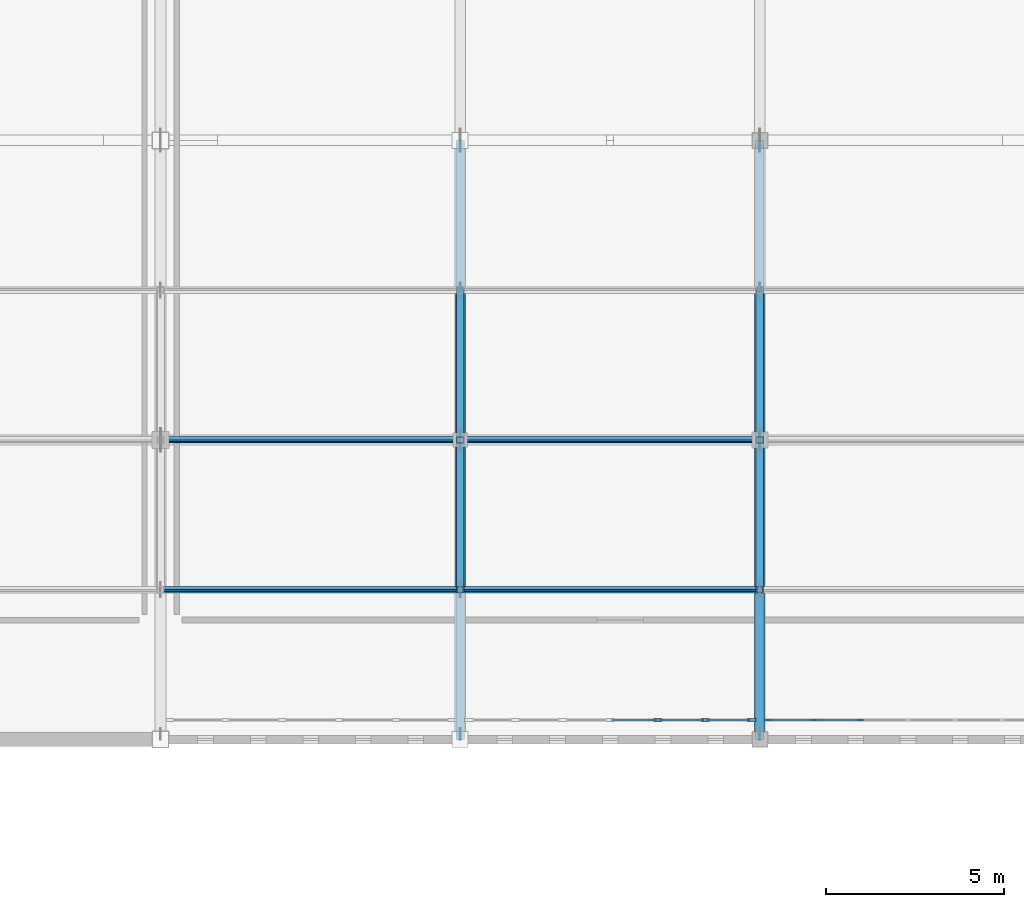
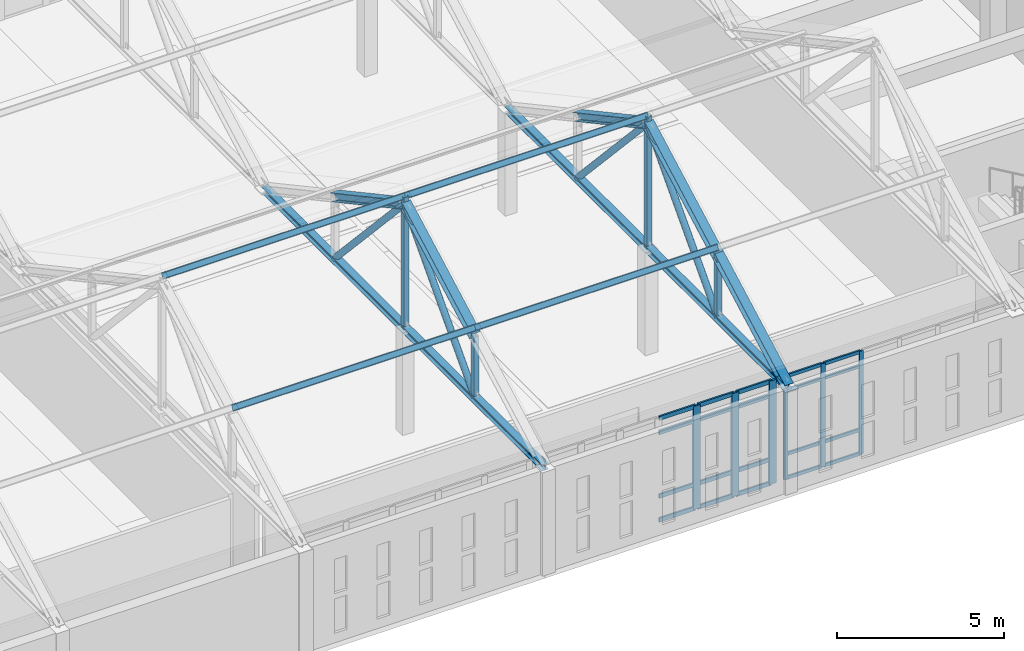
# One storey, part 32 of 110: 45 members, 2 elements without a shape of their own.
"""IFC4 building model written with IfcOpenShell, lengths in metres."""

import ifcopenshell
import ifcopenshell.guid

model = None  # the IFC model being written
_history = None  # IfcOwnerHistory: only IFC2X3 demands one
_inside = {}  # id of a spatial element -> (the spatial element, [elements in it])
_under = {}  # id of a project, library or spatial element -> (it, [spatial elements below it])
_declared = {}  # id of a project -> (the project, [libraries it declares])
_typed = {}  # id of a type object -> (the type object, [elements of that type])
_made_of = {}  # id of a material, layer set ... -> (it, [elements and type objects made of it])


def new_model(schema):
    """Start an empty IFC model of exactly this schema.

    Asked for "IFC4X3", IfcOpenShell would pick the latest addendum, in which some entities
    have other attributes; the version numbers below select the first issue.
    IFC2X3 requires an IfcOwnerHistory on every rooted entity: one is made here for all.
    """
    global model, _history
    if schema == "IFC4X3":
        model = ifcopenshell.file(schema_version=(4, 3, 0, 0))
    else:
        model = ifcopenshell.file(schema=schema)
    _inside.clear()
    _under.clear()
    _declared.clear()
    _typed.clear()
    _made_of.clear()
    _history = None
    if model.schema == "IFC2X3":
        org = make("IfcOrganization", Name="unknown")
        user = make(
            "IfcPersonAndOrganization",
            ThePerson=make("IfcPerson", FamilyName="unknown"),
            TheOrganization=org,
        )
        app = make(
            "IfcApplication",
            ApplicationDeveloper=org,
            Version="unknown",
            ApplicationFullName="unknown",
            ApplicationIdentifier="unknown",
        )
        _history = make(
            "IfcOwnerHistory",
            OwningUser=user,
            OwningApplication=app,
            ChangeAction="ADDED",
            CreationDate=0,
        )
    return model


def make(cls, **values):
    """One entity of the class cls with the attributes given. An attribute that is None is left unset."""
    return model.create_entity(
        cls, **{name: value for name, value in values.items() if value is not None}
    )


def rooted(cls, **values):
    """An entity with a GlobalId (a new one), such as an element, a storey or a relation."""
    return make(cls, GlobalId=ifcopenshell.guid.new(), OwnerHistory=_history, **values)


def si_unit(unit_type, name, prefix=None):
    """IfcSIUnit, for example si_unit("LENGTHUNIT", "METRE", prefix="MILLI")."""
    return make("IfcSIUnit", UnitType=unit_type, Prefix=prefix, Name=name)


def assignment(units):
    """IfcUnitAssignment: the units of a project."""
    return None if units is None else make("IfcUnitAssignment", Units=units)


def point(xyz):
    """IfcCartesianPoint."""
    return None if xyz is None else make("IfcCartesianPoint", Coordinates=xyz)


def direction(xyz):
    """IfcDirection."""
    return None if xyz is None else make("IfcDirection", DirectionRatios=xyz)


def frame(location, z_axis=None, x_axis=None):
    """IfcAxis2Placement3D, a coordinate frame: its origin and axes. An axis left out is left unset."""
    return make(
        "IfcAxis2Placement3D",
        Location=point(location),
        Axis=direction(z_axis),
        RefDirection=direction(x_axis),
    )


def frame_2d(location, x_axis=None):
    """IfcAxis2Placement2D, a coordinate frame in the plane: its origin and x axis."""
    return make(
        "IfcAxis2Placement2D", Location=point(location), RefDirection=direction(x_axis)
    )


def origin():
    """The frame at (0, 0, 0) with its axes left unset."""
    return frame((0.0, 0.0, 0.0))


def origin_2d():
    """The frame at (0, 0) in the plane with its x axis left unset."""
    return frame_2d((0.0, 0.0))


def place(relative_to, where):
    """IfcLocalPlacement: puts the frame where relative to a parent placement (None: the world)."""
    return make(
        "IfcLocalPlacement", PlacementRelTo=relative_to, RelativePlacement=where
    )


def context(
    kind, dimensions, precision=None, world=None, true_north=None, identifier=None
):
    """IfcGeometricRepresentationContext, for example the 3D "Model" context."""
    return make(
        "IfcGeometricRepresentationContext",
        ContextIdentifier=identifier,
        ContextType=kind,
        CoordinateSpaceDimension=dimensions,
        Precision=precision,
        WorldCoordinateSystem=world,
        TrueNorth=true_north,
    )


def subcontext(parent, identifier, kind, view, scale=None):
    """IfcGeometricRepresentationSubContext, for example "Body" below "Model"."""
    return make(
        "IfcGeometricRepresentationSubContext",
        ContextIdentifier=identifier,
        ContextType=kind,
        ParentContext=parent,
        TargetScale=scale,
        TargetView=view,
    )


def project(units=None, contexts=None):
    """IfcProject with its units and contexts."""
    return rooted(
        "IfcProject",
        Name="project",
        RepresentationContexts=contexts,
        UnitsInContext=assignment(units),
    )


def spatial(cls, under=None, at=None, **own):
    """A site, building, storey or space (cls), placed at a placement, below another one or the project."""
    s = rooted(cls, ObjectPlacement=at, **own)
    if under is not None:
        _under.setdefault(under.id(), (under, []))[1].append(s)
    return s


def profile(cls, at=None, kind="AREA", **sizes):
    """A parametric profile (cls). Its sizes go by their IFC names, for example OverallWidth=200.0."""
    return make(cls, ProfileType=kind, Position=at, **sizes)


def rectangle(**sizes):
    """IfcRectangleProfileDef."""
    return profile("IfcRectangleProfileDef", **sizes)


def hollow_rectangle(**sizes):
    """IfcRectangleHollowProfileDef."""
    return profile("IfcRectangleHollowProfileDef", **sizes)


def hollow_circle(**sizes):
    """IfcCircleHollowProfileDef."""
    return profile("IfcCircleHollowProfileDef", **sizes)


def i_section(**sizes):
    """IfcIShapeProfileDef."""
    return profile("IfcIShapeProfileDef", **sizes)


def extrude(swept, where, along, depth):
    """IfcExtrudedAreaSolid: the profile swept, set in the frame where, extruded along a direction by depth."""
    return make(
        "IfcExtrudedAreaSolid",
        SweptArea=swept,
        Position=where,
        ExtrudedDirection=direction(along),
        Depth=depth,
    )


def shape(context_of_items, identifier, shape_type, items):
    """IfcShapeRepresentation: the items that make up one representation, for example the "Body"."""
    return make(
        "IfcShapeRepresentation",
        ContextOfItems=context_of_items,
        RepresentationIdentifier=identifier,
        RepresentationType=shape_type,
        Items=items,
    )


def material(Name=None, Category=None):
    """IfcMaterial."""
    return make("IfcMaterial", Name=Name, Category=Category)


def layer(
    of_material, thickness, ventilated=None, Name=None, Category=None, Priority=None
):
    """IfcMaterialLayer: one layer of a wall or slab, of a material (None: an air gap)."""
    return make(
        "IfcMaterialLayer",
        Material=of_material,
        LayerThickness=thickness,
        IsVentilated=ventilated,
        Name=Name,
        Category=Category,
        Priority=Priority,
    )


def layer_set(layers, Name=None):
    """IfcMaterialLayerSet."""
    return make("IfcMaterialLayerSet", MaterialLayers=layers, LayerSetName=Name)


def material_profile(
    of_material, cross_section, Name=None, Category=None, Priority=None
):
    """IfcMaterialProfile: a cross section and its material."""
    return make(
        "IfcMaterialProfile",
        Name=Name,
        Material=of_material,
        Profile=cross_section,
        Priority=Priority,
        Category=Category,
    )


def profile_set(profiles, Name=None, composite=None):
    """IfcMaterialProfileSet."""
    return make(
        "IfcMaterialProfileSet",
        Name=Name,
        MaterialProfiles=profiles,
        CompositeProfile=composite,
    )


def made_of(thing, what):
    """Note that an element or type object is made of a material, layer set ...; save() writes the relation."""
    if what is not None:
        _made_of.setdefault(what.id(), (what, []))[1].append(thing)
    return thing


def type_object(cls, material=None, **own):
    """A type object (cls), such as IfcWallType, which elements share."""
    return made_of(rooted(cls, **own), material)


def element(
    cls,
    number,
    at=None,
    inside=None,
    cuts=None,
    type_object=None,
    material=None,
    context=None,
    identifier="Body",
    shape_type=None,
    held_by="IfcProductDefinitionShape",
    body=None,
    shapes=None,
    **own,
):
    """One element of the class cls, such as IfcWall. Its Tag is "e" and its number.

    at: its placement. inside: the storey or other place that contains it. cuts: it is an
    opening in that element (IfcRelVoidsElement). A single representation is given by context,
    identifier, shape_type and body (its items); several are given by shapes. held_by: the class
    of the entity that holds the representations. save() writes the other relations.
    """
    e = rooted(cls, Tag="e%d" % number, ObjectPlacement=at, **own)
    if body is not None:
        shapes = [shape(context, identifier, shape_type, body)]
    if shapes is not None:
        e.Representation = make(held_by, Representations=shapes)
    if inside is not None:
        _inside.setdefault(inside.id(), (inside, []))[1].append(e)
    if cuts is not None:
        rooted(
            "IfcRelVoidsElement", RelatingBuildingElement=cuts, RelatedOpeningElement=e
        )
    if type_object is not None:
        _typed.setdefault(type_object.id(), (type_object, []))[1].append(e)
    return made_of(e, material)


def aggregate(whole, parts):
    """IfcRelAggregates: a whole, such as a stair, and the parts it consists of."""
    return rooted("IfcRelAggregates", RelatingObject=whole, RelatedObjects=parts)


def save(model, path):
    """Write the relations noted so far, then the file.

    IfcRelAggregates (storeys below a building ...), IfcRelContainedInSpatialStructure (elements
    in a storey), IfcRelDefinesByType, IfcRelAssociatesMaterial and IfcRelDeclares: one each for
    every whole, place, type object, material and project.
    """
    for whole, parts in _under.values():
        aggregate(whole, parts)
    for where, things in _inside.values():
        rooted(
            "IfcRelContainedInSpatialStructure",
            RelatedElements=things,
            RelatingStructure=where,
        )
    for kind, things in _typed.values():
        rooted("IfcRelDefinesByType", RelatedObjects=things, RelatingType=kind)
    for what, things in _made_of.values():
        rooted("IfcRelAssociatesMaterial", RelatedObjects=things, RelatingMaterial=what)
    for by, libraries in _declared.values():
        rooted("IfcRelDeclares", RelatingContext=by, RelatedDefinitions=libraries)
    model.write(path)


model = new_model("IFC4")

# Units and contexts
model_context = context("Model", 3, precision=1e-05, world=origin(), true_north=direction((0.0, 1.0)))
body_context = subcontext(model_context, "Body", "Model", "MODEL_VIEW")
ifc_project = project(units=[si_unit("LENGTHUNIT", "METRE"), si_unit("AREAUNIT", "SQUARE_METRE"), si_unit("VOLUMEUNIT", "CUBIC_METRE"), si_unit("PLANEANGLEUNIT", "RADIAN"), si_unit("MASSUNIT", "GRAM", prefix="KILO")], contexts=[model_context])

# Site, building, storey
site_placement = place(None, origin())
site = spatial("IfcSite", under=ifc_project, at=site_placement, CompositionType="ELEMENT")
building_placement = place(site_placement, origin())
building = spatial("IfcBuilding", under=site, at=building_placement, Name="Kveldsbrygga Polytechnic", CompositionType="ELEMENT")
storey_placement = place(building_placement, frame((0.0, 0.0, 9.860107421875)))
storey = spatial("IfcBuildingStorey", under=building, at=storey_placement, Name="L02", CompositionType="ELEMENT", Elevation=9.860107421875)

# Curtain wall, members
ifc_material_1 = material(Name="Anodised aluminium AW-6060", Category="aluminium")
ifc_layer_1 = layer(ifc_material_1, 0.179931640625)
ifc_layer_set_1 = layer_set([ifc_layer_1], Name="Anodised aluminium AW-6060")
curtain_wall_type_1 = type_object("IfcCurtainWallType", Name="CW-CONC-A", PredefinedType="USERDEFINED", material=ifc_layer_set_1)
curtain_wall_1_placement = place(storey_placement, origin())
curtain_wall_1 = element("IfcCurtainWall", 1, at=curtain_wall_1_placement, inside=storey, type_object=curtain_wall_type_1, Name="Curtain Wall CW-L02-X-11-10", ObjectType="UNITISED CURTAIN WALL", PredefinedType="USERDEFINED")
ifc_material_profile_1 = material_profile(ifc_material_1, rectangle(XDim=0.06005859375, YDim=0.139892578125, at=origin_2d()), Name="ALU 60x140")
ifc_profile_set_1 = profile_set([ifc_material_profile_1], Name="Anodised aluminium AW-6060")
member_type_1 = type_object("IfcMemberType", Name="CW-MUL-140", PredefinedType="MULLION", material=ifc_profile_set_1)
member_1_placement = place(storey_placement, frame((92.625, 84.550048828125, 0.0), z_axis=(0.0, 0.0, 1.0), x_axis=(0.0, 1.0, 0.0)))
member_1 = element("IfcMember", 2, at=member_1_placement, type_object=member_type_1, Name="CW-01 mullion 1", PredefinedType="MULLION", context=body_context, shape_type="SweptSolid", body=[
    extrude(rectangle(XDim=0.06005859375, YDim=0.139892578125, at=origin_2d()), origin(), (0.0, 0.0, 1.0), 3.77978515625),
])
member_2_placement = place(storey_placement, frame((93.9150390625, 84.550048828125, 0.0), z_axis=(0.0, 0.0, 1.0), x_axis=(0.0, 1.0, 0.0)))
member_2 = element("IfcMember", 3, at=member_2_placement, type_object=member_type_1, Name="CW-01 mullion 2", PredefinedType="MULLION", context=body_context, shape_type="SweptSolid", body=[
    extrude(rectangle(XDim=0.06005859375, YDim=0.139892578125, at=origin_2d()), origin(), (0.0, 0.0, 1.0), 3.77978515625),
])
member_3_placement = place(storey_placement, frame((95.235107421875, 84.550048828125, 0.0), z_axis=(0.0, 0.0, 1.0), x_axis=(0.0, 1.0, 0.0)))
member_3 = element("IfcMember", 4, at=member_3_placement, type_object=member_type_1, Name="CW-01 mullion 3", PredefinedType="MULLION", context=body_context, shape_type="SweptSolid", body=[
    extrude(rectangle(XDim=0.06005859375, YDim=0.139892578125, at=origin_2d()), origin(), (0.0, 0.0, 1.0), 3.77978515625),
])

ifc_layer_2 = layer(ifc_material_1, 0.2099609375)
ifc_layer_set_2 = layer_set([ifc_layer_2], Name="Anodised aluminium AW-6060")
curtain_wall_type_2 = type_object("IfcCurtainWallType", Name="CW-LIBR-H", PredefinedType="USERDEFINED", material=ifc_layer_set_2)
curtain_wall_2_placement = place(storey_placement, origin())
curtain_wall_2 = element("IfcCurtainWall", 5, at=curtain_wall_2_placement, inside=storey, type_object=curtain_wall_type_2, Name="Curtain Wall CW-L02-X-10-10", ObjectType="UNITISED CURTAIN WALL", PredefinedType="USERDEFINED")
ifc_material_profile_2 = material_profile(ifc_material_1, rectangle(XDim=0.074951171875, YDim=0.239990234375, at=origin_2d()), Name="ALU 75x240")
ifc_profile_set_2 = profile_set([ifc_material_profile_2], Name="Anodised aluminium AW-6060")
member_type_2 = type_object("IfcMemberType", Name="CW-MUL-240", PredefinedType="MULLION", material=ifc_profile_set_2)
member_4_placement = place(storey_placement, frame((89.5400390625, 84.550048828125, 0.0), z_axis=(0.0, 0.0, 1.0), x_axis=(0.0, 1.0, 0.0)))
member_4 = element("IfcMember", 6, at=member_4_placement, type_object=member_type_2, Name="CW-08 mullion 5", PredefinedType="MULLION", context=body_context, shape_type="SweptSolid", body=[
    extrude(rectangle(XDim=0.074951171875, YDim=0.239990234375, at=origin_2d()), origin(), (0.0, 0.0, 1.0), 3.77978515625),
])
member_5_placement = place(storey_placement, frame((90.87255859375, 84.550048828125, 0.0), z_axis=(0.0, 0.0, 1.0), x_axis=(0.0, 1.0, 0.0)))
member_5 = element("IfcMember", 7, at=member_5_placement, type_object=member_type_2, Name="CW-08 mullion 6", PredefinedType="MULLION", context=body_context, shape_type="SweptSolid", body=[
    extrude(rectangle(XDim=0.074951171875, YDim=0.239990234375, at=origin_2d()), origin(), (0.0, 0.0, 1.0), 3.77978515625),
])
member_6_placement = place(storey_placement, frame((92.16748046875, 84.550048828125, 0.0), z_axis=(0.0, 0.0, 1.0), x_axis=(0.0, 1.0, 0.0)))
member_6 = element("IfcMember", 8, at=member_6_placement, type_object=member_type_2, Name="CW-08 mullion 7", PredefinedType="MULLION", context=body_context, shape_type="SweptSolid", body=[
    extrude(rectangle(XDim=0.074951171875, YDim=0.239990234375, at=origin_2d()), origin(), (0.0, 0.0, 1.0), 3.77978515625),
])

# Member
ifc_material_profile_3 = material_profile(ifc_material_1, rectangle(XDim=0.06005859375, YDim=0.1201171875, at=origin_2d()), Name="ALU 60x120")
ifc_profile_set_3 = profile_set([ifc_material_profile_3], Name="Anodised aluminium AW-6060")
member_type_3 = type_object("IfcMemberType", Name="CW-TRN-120", PredefinedType="USERDEFINED", material=ifc_profile_set_3)
member_7_placement = place(storey_placement, frame((92.655029296875, 84.550048828125, 0.02978515625), z_axis=(1.0, 0.0, 0.0), x_axis=(0.0, 1.0, 0.0)))
member_7 = element("IfcMember", 9, at=member_7_placement, type_object=member_type_3, Name="CW-01 transom 1.1", ObjectType="TRANSOM", PredefinedType="USERDEFINED", context=body_context, shape_type="SweptSolid", body=[
    extrude(rectangle(XDim=0.06005859375, YDim=0.1201171875, at=origin_2d()), origin(), (0.0, 0.0, 1.0), 1.22998046875),
])

member_8_placement = place(storey_placement, frame((92.655029296875, 84.550048828125, 0.89990234375), z_axis=(1.0, 0.0, 0.0), x_axis=(0.0, 1.0, 0.0)))
member_8 = element("IfcMember", 10, at=member_8_placement, type_object=member_type_3, Name="CW-01 transom 1.2", ObjectType="TRANSOM", PredefinedType="USERDEFINED", context=body_context, shape_type="SweptSolid", body=[
    extrude(rectangle(XDim=0.06005859375, YDim=0.1201171875, at=origin_2d()), origin(), (0.0, 0.0, 1.0), 1.22998046875),
])

member_9_placement = place(storey_placement, frame((92.655029296875, 84.550048828125, 3.22998046875), z_axis=(1.0, 0.0, 0.0), x_axis=(0.0, 1.0, 0.0)))
member_9 = element("IfcMember", 11, at=member_9_placement, type_object=member_type_3, Name="CW-01 transom 1.3", ObjectType="TRANSOM", PredefinedType="USERDEFINED", context=body_context, shape_type="SweptSolid", body=[
    extrude(rectangle(XDim=0.06005859375, YDim=0.1201171875, at=origin_2d()), origin(), (0.0, 0.0, 1.0), 1.22998046875),
])

member_10_placement = place(storey_placement, frame((92.655029296875, 84.550048828125, 3.75), z_axis=(1.0, 0.0, 0.0), x_axis=(0.0, 1.0, 0.0)))
member_10 = element("IfcMember", 12, at=member_10_placement, type_object=member_type_3, Name="CW-01 transom 1.4", ObjectType="TRANSOM", PredefinedType="USERDEFINED", context=body_context, shape_type="SweptSolid", body=[
    extrude(rectangle(XDim=0.06005859375, YDim=0.1201171875, at=origin_2d()), origin(), (0.0, 0.0, 1.0), 1.22998046875),
])

member_11_placement = place(storey_placement, frame((93.945068359375, 84.550048828125, 0.02978515625), z_axis=(1.0, 0.0, 0.0), x_axis=(0.0, 1.0, 0.0)))
member_11 = element("IfcMember", 13, at=member_11_placement, type_object=member_type_3, Name="CW-01 transom 2.1", ObjectType="TRANSOM", PredefinedType="USERDEFINED", context=body_context, shape_type="SweptSolid", body=[
    extrude(rectangle(XDim=0.06005859375, YDim=0.1201171875, at=origin_2d()), origin(), (0.0, 0.0, 1.0), 1.260009765625),
])

member_12_placement = place(storey_placement, frame((93.945068359375, 84.550048828125, 0.89990234375), z_axis=(1.0, 0.0, 0.0), x_axis=(0.0, 1.0, 0.0)))
member_12 = element("IfcMember", 14, at=member_12_placement, type_object=member_type_3, Name="CW-01 transom 2.2", ObjectType="TRANSOM", PredefinedType="USERDEFINED", context=body_context, shape_type="SweptSolid", body=[
    extrude(rectangle(XDim=0.06005859375, YDim=0.1201171875, at=origin_2d()), origin(), (0.0, 0.0, 1.0), 1.260009765625),
])

member_13_placement = place(storey_placement, frame((93.945068359375, 84.550048828125, 3.22998046875), z_axis=(1.0, 0.0, 0.0), x_axis=(0.0, 1.0, 0.0)))
member_13 = element("IfcMember", 15, at=member_13_placement, type_object=member_type_3, Name="CW-01 transom 2.3", ObjectType="TRANSOM", PredefinedType="USERDEFINED", context=body_context, shape_type="SweptSolid", body=[
    extrude(rectangle(XDim=0.06005859375, YDim=0.1201171875, at=origin_2d()), origin(), (0.0, 0.0, 1.0), 1.260009765625),
])

member_14_placement = place(storey_placement, frame((93.945068359375, 84.550048828125, 3.75), z_axis=(1.0, 0.0, 0.0), x_axis=(0.0, 1.0, 0.0)))
member_14 = element("IfcMember", 16, at=member_14_placement, type_object=member_type_3, Name="CW-01 transom 2.4", ObjectType="TRANSOM", PredefinedType="USERDEFINED", context=body_context, shape_type="SweptSolid", body=[
    extrude(rectangle(XDim=0.06005859375, YDim=0.1201171875, at=origin_2d()), origin(), (0.0, 0.0, 1.0), 1.260009765625),
])

aggregate(curtain_wall_1, [member_1, member_2, member_3, member_7, member_8, member_9, member_10, member_11, member_12, member_13, member_14])

ifc_material_profile_4 = material_profile(ifc_material_1, rectangle(XDim=0.06005859375, YDim=0.14990234375, at=origin_2d()), Name="ALU 60x150")
ifc_profile_set_4 = profile_set([ifc_material_profile_4], Name="Anodised aluminium AW-6060")
member_type_4 = type_object("IfcMemberType", Name="CW-TRN-150", PredefinedType="USERDEFINED", material=ifc_profile_set_4)
member_15_placement = place(storey_placement, frame((88.2451171875, 84.550048828125, 0.02978515625), z_axis=(1.0, 0.0, 0.0), x_axis=(0.0, 1.0, 0.0)))
member_15 = element("IfcMember", 17, at=member_15_placement, type_object=member_type_4, Name="CW-08 transom 4.1", ObjectType="TRANSOM", PredefinedType="USERDEFINED", context=body_context, shape_type="SweptSolid", body=[
    extrude(rectangle(XDim=0.06005859375, YDim=0.14990234375, at=origin_2d()), origin(), (0.0, 0.0, 1.0), 1.25732421875),
])

member_16_placement = place(storey_placement, frame((88.2451171875, 84.550048828125, 0.89990234375), z_axis=(1.0, 0.0, 0.0), x_axis=(0.0, 1.0, 0.0)))
member_16 = element("IfcMember", 18, at=member_16_placement, type_object=member_type_4, Name="CW-08 transom 4.2", ObjectType="TRANSOM", PredefinedType="USERDEFINED", context=body_context, shape_type="SweptSolid", body=[
    extrude(rectangle(XDim=0.06005859375, YDim=0.14990234375, at=origin_2d()), origin(), (0.0, 0.0, 1.0), 1.25732421875),
])

member_17_placement = place(storey_placement, frame((88.2451171875, 84.550048828125, 3.22998046875), z_axis=(1.0, 0.0, 0.0), x_axis=(0.0, 1.0, 0.0)))
member_17 = element("IfcMember", 19, at=member_17_placement, type_object=member_type_4, Name="CW-08 transom 4.3", ObjectType="TRANSOM", PredefinedType="USERDEFINED", context=body_context, shape_type="SweptSolid", body=[
    extrude(rectangle(XDim=0.06005859375, YDim=0.14990234375, at=origin_2d()), origin(), (0.0, 0.0, 1.0), 1.25732421875),
])

member_18_placement = place(storey_placement, frame((88.2451171875, 84.550048828125, 3.75), z_axis=(1.0, 0.0, 0.0), x_axis=(0.0, 1.0, 0.0)))
member_18 = element("IfcMember", 20, at=member_18_placement, type_object=member_type_4, Name="CW-08 transom 4.4", ObjectType="TRANSOM", PredefinedType="USERDEFINED", context=body_context, shape_type="SweptSolid", body=[
    extrude(rectangle(XDim=0.06005859375, YDim=0.14990234375, at=origin_2d()), origin(), (0.0, 0.0, 1.0), 1.25732421875),
])

member_19_placement = place(storey_placement, frame((89.577392578125, 84.550048828125, 0.02978515625), z_axis=(1.0, 0.0, 0.0), x_axis=(0.0, 1.0, 0.0)))
member_19 = element("IfcMember", 21, at=member_19_placement, type_object=member_type_4, Name="CW-08 transom 5.1", ObjectType="TRANSOM", PredefinedType="USERDEFINED", context=body_context, shape_type="SweptSolid", body=[
    extrude(rectangle(XDim=0.06005859375, YDim=0.14990234375, at=origin_2d()), origin(), (0.0, 0.0, 1.0), 1.257568359375),
])

member_20_placement = place(storey_placement, frame((89.577392578125, 84.550048828125, 0.89990234375), z_axis=(1.0, 0.0, 0.0), x_axis=(0.0, 1.0, 0.0)))
member_20 = element("IfcMember", 22, at=member_20_placement, type_object=member_type_4, Name="CW-08 transom 5.2", ObjectType="TRANSOM", PredefinedType="USERDEFINED", context=body_context, shape_type="SweptSolid", body=[
    extrude(rectangle(XDim=0.06005859375, YDim=0.14990234375, at=origin_2d()), origin(), (0.0, 0.0, 1.0), 1.257568359375),
])

member_21_placement = place(storey_placement, frame((89.577392578125, 84.550048828125, 3.22998046875), z_axis=(1.0, 0.0, 0.0), x_axis=(0.0, 1.0, 0.0)))
member_21 = element("IfcMember", 23, at=member_21_placement, type_object=member_type_4, Name="CW-08 transom 5.3", ObjectType="TRANSOM", PredefinedType="USERDEFINED", context=body_context, shape_type="SweptSolid", body=[
    extrude(rectangle(XDim=0.06005859375, YDim=0.14990234375, at=origin_2d()), origin(), (0.0, 0.0, 1.0), 1.257568359375),
])

member_22_placement = place(storey_placement, frame((89.577392578125, 84.550048828125, 3.75), z_axis=(1.0, 0.0, 0.0), x_axis=(0.0, 1.0, 0.0)))
member_22 = element("IfcMember", 24, at=member_22_placement, type_object=member_type_4, Name="CW-08 transom 5.4", ObjectType="TRANSOM", PredefinedType="USERDEFINED", context=body_context, shape_type="SweptSolid", body=[
    extrude(rectangle(XDim=0.06005859375, YDim=0.14990234375, at=origin_2d()), origin(), (0.0, 0.0, 1.0), 1.257568359375),
])

member_23_placement = place(storey_placement, frame((90.909912109375, 84.550048828125, 0.02978515625), z_axis=(1.0, 0.0, 0.0), x_axis=(0.0, 1.0, 0.0)))
member_23 = element("IfcMember", 25, at=member_23_placement, type_object=member_type_4, Name="CW-08 transom 6.1", ObjectType="TRANSOM", PredefinedType="USERDEFINED", context=body_context, shape_type="SweptSolid", body=[
    extrude(rectangle(XDim=0.06005859375, YDim=0.14990234375, at=origin_2d()), origin(), (0.0, 0.0, 1.0), 1.219970703125),
])

member_24_placement = place(storey_placement, frame((90.909912109375, 84.550048828125, 0.89990234375), z_axis=(1.0, 0.0, 0.0), x_axis=(0.0, 1.0, 0.0)))
member_24 = element("IfcMember", 26, at=member_24_placement, type_object=member_type_4, Name="CW-08 transom 6.2", ObjectType="TRANSOM", PredefinedType="USERDEFINED", context=body_context, shape_type="SweptSolid", body=[
    extrude(rectangle(XDim=0.06005859375, YDim=0.14990234375, at=origin_2d()), origin(), (0.0, 0.0, 1.0), 1.219970703125),
])

member_25_placement = place(storey_placement, frame((90.909912109375, 84.550048828125, 3.22998046875), z_axis=(1.0, 0.0, 0.0), x_axis=(0.0, 1.0, 0.0)))
member_25 = element("IfcMember", 27, at=member_25_placement, type_object=member_type_4, Name="CW-08 transom 6.3", ObjectType="TRANSOM", PredefinedType="USERDEFINED", context=body_context, shape_type="SweptSolid", body=[
    extrude(rectangle(XDim=0.06005859375, YDim=0.14990234375, at=origin_2d()), origin(), (0.0, 0.0, 1.0), 1.219970703125),
])

member_26_placement = place(storey_placement, frame((90.909912109375, 84.550048828125, 3.75), z_axis=(1.0, 0.0, 0.0), x_axis=(0.0, 1.0, 0.0)))
member_26 = element("IfcMember", 28, at=member_26_placement, type_object=member_type_4, Name="CW-08 transom 6.4", ObjectType="TRANSOM", PredefinedType="USERDEFINED", context=body_context, shape_type="SweptSolid", body=[
    extrude(rectangle(XDim=0.06005859375, YDim=0.14990234375, at=origin_2d()), origin(), (0.0, 0.0, 1.0), 1.219970703125),
])

aggregate(curtain_wall_2, [member_4, member_5, member_6, member_15, member_16, member_17, member_18, member_19, member_20, member_21, member_22, member_23, member_24, member_25, member_26])

# Members
ifc_material_2 = material(Name="Steel S355", Category="steel")
ifc_material_profile_5 = material_profile(ifc_material_2, i_section(OverallWidth=0.10009765625, OverallDepth=0.199951171875, WebThickness=0.005615234375, FlangeThickness=0.008544921875, FilletRadius=0.011962890625, at=origin_2d()), Name="IPE 200")
ifc_profile_set_5 = profile_set([ifc_material_profile_5], Name="Steel S355")
member_type_5 = type_object("IfcMemberType", Name="PRL-IPE200", PredefinedType="PURLIN", material=ifc_profile_set_5)
for number, where, z_axis, x_axis, name in (
    (29, (75.60009765625, 88.199951171875, 6.33349609375), (1.0, 0.0, 0.0), (0.0, 0.879292204483, -0.476282709256), "Roof Purlin V2L1-PRL-5-1"),
    (30, (75.60009765625, 92.39990234375, 8.608642578125), (1.0, 0.0, 0.0), (0.0, 0.879292204483, -0.476282709256), "Roof Purlin V2L1-PRL-5-2"),
    (31, (84.0, 88.199951171875, 6.33349609375), (1.0, 0.0, 0.0), (0.0, 0.879292204483, -0.476282709256), "Roof Purlin V2L1-PRL-6-1"),
    (32, (84.0, 92.39990234375, 8.608642578125), (1.0, 0.0, 0.0), (0.0, 0.879292204483, -0.476282709256), "Roof Purlin V2L1-PRL-6-2"),
):
    element("IfcMember", number, at=place(storey_placement, frame(where, z_axis=z_axis, x_axis=x_axis)), inside=storey, type_object=member_type_5, Name=name, PredefinedType="PURLIN", context=body_context, shape_type="SweptSolid", body=[
        extrude(i_section(OverallWidth=0.10009765625, OverallDepth=0.199951171875, WebThickness=0.005615234375, FlangeThickness=0.008544921875, FilletRadius=0.011962890625, at=origin_2d()), origin(), (0.0, 0.0, 1.0), 8.39990234375),
    ])
ifc_material_profile_6 = material_profile(ifc_material_2, i_section(OverallWidth=0.239990234375, OverallDepth=0.22998046875, WebThickness=0.007568359375, FlangeThickness=0.011962890625, FilletRadius=0.02099609375, at=origin_2d()), Name="HEA 240")
ifc_profile_set_6 = profile_set([ifc_material_profile_6], Name="Steel S355")
member_type_6 = type_object("IfcMemberType", Name="TR-BOT-HEA240", PredefinedType="CHORD", material=ifc_profile_set_6)
for number, where, z_axis, x_axis, name in (
    (33, (84.0, 84.0, 3.77978515625), (0.0, 1.0, 0.0), (-1.0, 0.0, 0.0), "Truss Bottom Chord V2L1-T06-BC-1"),
    (34, (92.39990234375, 84.0, 3.77978515625), (0.0, 1.0, 0.0), (-1.0, 0.0, 0.0), "Truss Bottom Chord V2L1-T07-BC-1"),
):
    element("IfcMember", number, at=place(storey_placement, frame(where, z_axis=z_axis, x_axis=x_axis)), inside=storey, type_object=member_type_6, Name=name, PredefinedType="CHORD", context=body_context, shape_type="SweptSolid", body=[
        extrude(i_section(OverallWidth=0.239990234375, OverallDepth=0.22998046875, WebThickness=0.007568359375, FlangeThickness=0.011962890625, FilletRadius=0.02099609375, at=origin_2d()), origin(), (0.0, 0.0, 1.0), 16.800048828125),
    ])
ifc_material_profile_7 = material_profile(ifc_material_2, hollow_circle(Radius=0.109619140625, WallThickness=0.012451171875, at=origin_2d()), Name="CHS 219.1x12.5")
ifc_profile_set_7 = profile_set([ifc_material_profile_7], Name="Steel S355")
member_type_7 = type_object("IfcMemberType", Name="TR-DIAG-CHS219", PredefinedType="BRACE", material=ifc_profile_set_7)
member_27_placement = place(storey_placement, frame((84.0, 88.199951171875, 3.77978515625), z_axis=(0.0, 0.678271914864, 0.734811002576), x_axis=(-1.0, 0.0, 0.0)))
element("IfcMember", 35, at=member_27_placement, inside=storey, type_object=member_type_7, Name="Truss Diagonal V2L1-T06-DG-2", PredefinedType="BRACE", context=body_context, shape_type="SweptSolid", body=[
    extrude(hollow_circle(Radius=0.109619140625, WallThickness=0.012451171875, at=origin_2d()), origin(), (0.0, 0.0, 1.0), 6.192138671875),
])
member_28_placement = place(storey_placement, frame((84.0, 92.39990234375, 8.329833984375), z_axis=(0.0, 0.678293202798, -0.734791352043), x_axis=(-1.0, 0.0, 0.0)))
element("IfcMember", 36, at=member_28_placement, inside=storey, type_object=member_type_7, Name="Truss Diagonal V2L1-T06-DG-3", PredefinedType="BRACE", context=body_context, shape_type="SweptSolid", body=[
    extrude(hollow_circle(Radius=0.109619140625, WallThickness=0.012451171875, at=origin_2d()), origin(), (0.0, 0.0, 1.0), 6.1923828125),
])
member_29_placement = place(storey_placement, frame((92.39990234375, 88.199951171875, 3.77978515625), z_axis=(0.0, 0.678271914864, 0.734811002576), x_axis=(-1.0, 0.0, 0.0)))
element("IfcMember", 37, at=member_29_placement, inside=storey, type_object=member_type_7, Name="Truss Diagonal V2L1-T07-DG-2", PredefinedType="BRACE", context=body_context, shape_type="SweptSolid", body=[
    extrude(hollow_circle(Radius=0.109619140625, WallThickness=0.012451171875, at=origin_2d()), origin(), (0.0, 0.0, 1.0), 6.192138671875),
])
member_30_placement = place(storey_placement, frame((92.39990234375, 92.39990234375, 8.329833984375), z_axis=(0.0, 0.678293202798, -0.734791352043), x_axis=(-1.0, 0.0, 0.0)))
element("IfcMember", 38, at=member_30_placement, inside=storey, type_object=member_type_7, Name="Truss Diagonal V2L1-T07-DG-3", PredefinedType="BRACE", context=body_context, shape_type="SweptSolid", body=[
    extrude(hollow_circle(Radius=0.109619140625, WallThickness=0.012451171875, at=origin_2d()), origin(), (0.0, 0.0, 1.0), 6.1923828125),
])
ifc_material_profile_8 = material_profile(ifc_material_2, hollow_rectangle(XDim=0.179931640625, YDim=0.179931640625, WallThickness=0.010009765625, at=origin_2d()), Name="SHS 180x180x10.0")
ifc_profile_set_8 = profile_set([ifc_material_profile_8], Name="Steel S355")
member_type_8 = type_object("IfcMemberType", Name="TR-POST-SHS180", PredefinedType="STRUT", material=ifc_profile_set_8)
member_31_placement = place(storey_placement, frame((84.0, 88.199951171875, 3.77978515625), z_axis=(0.0, 0.0, 1.0), x_axis=(1.0, 0.0, 0.0)))
element("IfcMember", 39, at=member_31_placement, inside=storey, type_object=member_type_8, Name="Truss Vertical V2L1-T06-VT-1", PredefinedType="STRUT", context=body_context, shape_type="SweptSolid", body=[
    extrude(hollow_rectangle(XDim=0.179931640625, YDim=0.179931640625, WallThickness=0.010009765625, at=origin_2d()), origin(), (0.0, 0.0, 1.0), 2.275146484375),
])
member_32_placement = place(storey_placement, frame((84.0, 92.39990234375, 3.77978515625), z_axis=(0.0, 0.0, 1.0), x_axis=(1.0, 0.0, 0.0)))
element("IfcMember", 40, at=member_32_placement, inside=storey, type_object=member_type_8, Name="Truss Vertical V2L1-T06-VT-2", PredefinedType="STRUT", context=body_context, shape_type="SweptSolid", body=[
    extrude(hollow_rectangle(XDim=0.179931640625, YDim=0.179931640625, WallThickness=0.010009765625, at=origin_2d()), origin(), (0.0, 0.0, 1.0), 4.828857421875),
])
member_33_placement = place(storey_placement, frame((92.39990234375, 88.199951171875, 3.77978515625), z_axis=(0.0, 0.0, 1.0), x_axis=(1.0, 0.0, 0.0)))
element("IfcMember", 41, at=member_33_placement, inside=storey, type_object=member_type_8, Name="Truss Vertical V2L1-T07-VT-1", PredefinedType="STRUT", context=body_context, shape_type="SweptSolid", body=[
    extrude(hollow_rectangle(XDim=0.179931640625, YDim=0.179931640625, WallThickness=0.010009765625, at=origin_2d()), origin(), (0.0, 0.0, 1.0), 2.275146484375),
])
member_34_placement = place(storey_placement, frame((92.39990234375, 92.39990234375, 3.77978515625), z_axis=(0.0, 0.0, 1.0), x_axis=(1.0, 0.0, 0.0)))
element("IfcMember", 42, at=member_34_placement, inside=storey, type_object=member_type_8, Name="Truss Vertical V2L1-T07-VT-2", PredefinedType="STRUT", context=body_context, shape_type="SweptSolid", body=[
    extrude(hollow_rectangle(XDim=0.179931640625, YDim=0.179931640625, WallThickness=0.010009765625, at=origin_2d()), origin(), (0.0, 0.0, 1.0), 4.828857421875),
])
ifc_material_profile_9 = material_profile(ifc_material_2, i_section(OverallWidth=0.300048828125, OverallDepth=0.2900390625, WebThickness=0.008544921875, FlangeThickness=0.013916015625, FilletRadius=0.027099609375, at=origin_2d()), Name="HEA 300")
ifc_profile_set_9 = profile_set([ifc_material_profile_9], Name="Steel S355")
member_type_9 = type_object("IfcMemberType", Name="TR-TOP-HEA300", PredefinedType="CHORD", material=ifc_profile_set_9)
member_35_placement = place(storey_placement, frame((84.0, 88.199951171875, 6.054931640625), z_axis=(0.0, 0.879298209803, 0.47627162233), x_axis=(-1.0, 0.0, 0.0)))
element("IfcMember", 43, at=member_35_placement, inside=storey, type_object=member_type_9, Name="Truss Top Chord V2L1-T06-TC-2", PredefinedType="CHORD", context=body_context, shape_type="SweptSolid", body=[
    extrude(i_section(OverallWidth=0.300048828125, OverallDepth=0.2900390625, WebThickness=0.008544921875, FlangeThickness=0.013916015625, FilletRadius=0.027099609375, at=origin_2d()), origin(), (0.0, 0.0, 1.0), 4.7763671875),
])
for number, where, z_axis, x_axis, name in (
    (44, (84.0, 92.39990234375, 8.329833984375), (0.0, 0.879309803238, -0.476250217773), (-1.0, 0.0, 0.0), "Truss Top Chord V2L1-T06-TC-3"),
    (45, (92.39990234375, 84.0, 3.77978515625), (0.0, 0.879276804059, 0.476311139744), (-1.0, 0.0, 0.0), "Truss Top Chord V2L1-T07-TC-1"),
):
    element("IfcMember", number, at=place(storey_placement, frame(where, z_axis=z_axis, x_axis=x_axis)), inside=storey, type_object=member_type_9, Name=name, PredefinedType="CHORD", context=body_context, shape_type="SweptSolid", body=[
        extrude(i_section(OverallWidth=0.300048828125, OverallDepth=0.2900390625, WebThickness=0.008544921875, FlangeThickness=0.013916015625, FilletRadius=0.027099609375, at=origin_2d()), origin(), (0.0, 0.0, 1.0), 4.776611328125),
    ])
member_36_placement = place(storey_placement, frame((92.39990234375, 88.199951171875, 6.054931640625), z_axis=(0.0, 0.879298209803, 0.47627162233), x_axis=(-1.0, 0.0, 0.0)))
element("IfcMember", 46, at=member_36_placement, inside=storey, type_object=member_type_9, Name="Truss Top Chord V2L1-T07-TC-2", PredefinedType="CHORD", context=body_context, shape_type="SweptSolid", body=[
    extrude(i_section(OverallWidth=0.300048828125, OverallDepth=0.2900390625, WebThickness=0.008544921875, FlangeThickness=0.013916015625, FilletRadius=0.027099609375, at=origin_2d()), origin(), (0.0, 0.0, 1.0), 4.7763671875),
])
member_37_placement = place(storey_placement, frame((92.39990234375, 92.39990234375, 8.329833984375), z_axis=(0.0, 0.879309803238, -0.476250217773), x_axis=(-1.0, 0.0, 0.0)))
element("IfcMember", 47, at=member_37_placement, inside=storey, type_object=member_type_9, Name="Truss Top Chord V2L1-T07-TC-3", PredefinedType="CHORD", context=body_context, shape_type="SweptSolid", body=[
    extrude(i_section(OverallWidth=0.300048828125, OverallDepth=0.2900390625, WebThickness=0.008544921875, FlangeThickness=0.013916015625, FilletRadius=0.027099609375, at=origin_2d()), origin(), (0.0, 0.0, 1.0), 4.776611328125),
])

save(model, "model.ifc")
